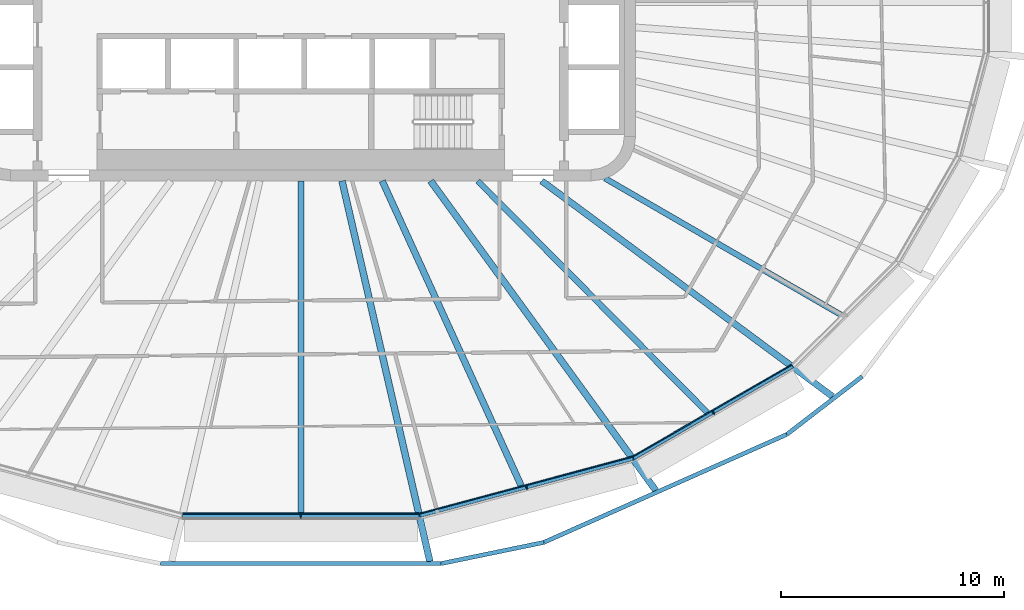
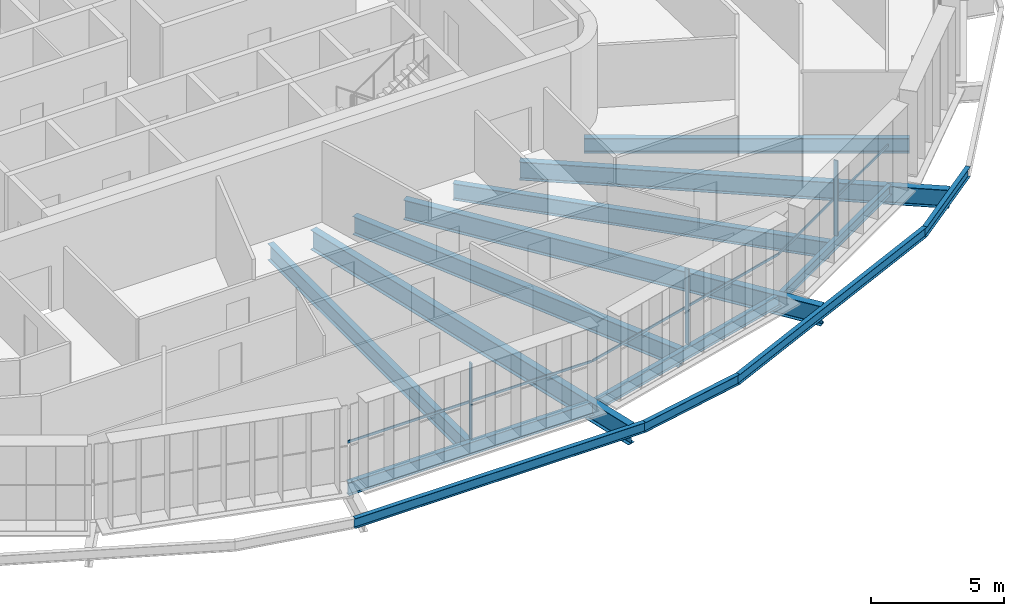
# One storey, part 3 of 21: 14 beams, 6 members, 3 elements without a shape of their own.
"""IFC4 building model written with IfcOpenShell, lengths in metres."""

from ifc_helpers import new_model, si_unit, direction, frame, origin, origin_2d, place, context, subcontext, project, spatial, rectangle, i_section, extrude, material, layer, layer_set, material_profile, profile_set, type_object, element, aggregate, save


model = new_model("IFC4")

# Units and contexts
model_context = context("Model", 3, precision=1e-05, world=origin(), true_north=direction((0.0, 1.0)))
body_context = subcontext(model_context, "Body", "Model", "MODEL_VIEW")
ifc_project = project(units=[si_unit("LENGTHUNIT", "METRE"), si_unit("AREAUNIT", "SQUARE_METRE"), si_unit("VOLUMEUNIT", "CUBIC_METRE"), si_unit("PLANEANGLEUNIT", "RADIAN"), si_unit("MASSUNIT", "GRAM", prefix="KILO")], contexts=[model_context])

# Site, building, storey
site_placement = place(None, origin())
site = spatial("IfcSite", under=ifc_project, at=site_placement, CompositionType="ELEMENT")
building_placement = place(site_placement, origin())
building = spatial("IfcBuilding", under=site, at=building_placement, Name="Sahrelin Media Tower", CompositionType="ELEMENT")
storey_placement = place(building_placement, frame((0.0, 0.0, 193.60009765625)))
storey = spatial("IfcBuildingStorey", under=building, at=storey_placement, Name="L41", CompositionType="ELEMENT", Elevation=193.60009765625)

# Beams
ifc_material_1 = material(Name="Steel S355", Category="steel")
ifc_material_profile_1 = material_profile(ifc_material_1, i_section(OverallWidth=0.1904296875, OverallDepth=0.45703125, WebThickness=0.009033203125, FlangeThickness=0.014404296875, FilletRadius=0.01025390625, at=origin_2d()), Name="UB 457x191x74")
ifc_profile_set_1 = profile_set([ifc_material_profile_1], Name="Steel S355")
beam_type_1 = type_object("IfcBeamType", Name="Edge beam EB5", PredefinedType="BEAM", material=ifc_profile_set_1)
beam_1_placement = place(storey_placement, frame((22.029296875, -16.292236328125, -0.378662109375), z_axis=(-0.8660092336, -0.500028006535, 0.0), x_axis=(0.500028006535, -0.8660092336, 0.0)))
element("IfcBeam", 1, at=beam_1_placement, inside=storey, type_object=beam_type_1, Name="Edge beam L41-05", PredefinedType="BEAM", context=body_context, shape_type="SweptSolid", body=[
    extrude(i_section(OverallWidth=0.1904296875, OverallDepth=0.45703125, WebThickness=0.009033203125, FlangeThickness=0.014404296875, FilletRadius=0.01025390625, at=origin_2d()), origin(), (0.0, 0.0, 1.0), 8.23046875),
])
ifc_material_profile_2 = material_profile(ifc_material_1, i_section(OverallWidth=0.208740234375, OverallDepth=0.5283203125, WebThickness=0.009521484375, FlangeThickness=0.01318359375, FilletRadius=0.0126953125, at=origin_2d()), Name="UB 533x210x82")
ifc_profile_set_2 = profile_set([ifc_material_profile_2], Name="Steel S355")
beam_type_2 = type_object("IfcBeamType", Name="Edge beam EB6", PredefinedType="BEAM", material=ifc_profile_set_2)
beam_2_placement = place(storey_placement, frame((14.875, -20.418701171875, -0.414306640625), z_axis=(-0.965928634298, -0.258808565244, 0.0), x_axis=(0.258808565244, -0.965928634298, 0.0)))
element("IfcBeam", 2, at=beam_2_placement, inside=storey, type_object=beam_type_2, Name="Edge beam L41-06", PredefinedType="BEAM", context=body_context, shape_type="SweptSolid", body=[
    extrude(i_section(OverallWidth=0.208740234375, OverallDepth=0.5283203125, WebThickness=0.009521484375, FlangeThickness=0.01318359375, FilletRadius=0.0126953125, at=origin_2d()), origin(), (0.0, 0.0, 1.0), 9.87744140625),
])
ifc_material_profile_3 = material_profile(ifc_material_1, i_section(OverallWidth=0.2275390625, OverallDepth=0.6025390625, WebThickness=0.010498046875, FlangeThickness=0.014892578125, FilletRadius=0.0126953125, at=origin_2d()), Name="UB 610x229x101")
ifc_profile_set_3 = profile_set([ifc_material_profile_3], Name="Steel S355")
beam_type_3 = type_object("IfcBeamType", Name="Edge beam EB7", PredefinedType="BEAM", material=ifc_profile_set_3)
beam_3_placement = place(storey_placement, frame((5.305419921875, -22.97900390625, -0.451416015625), z_axis=(-1.0, 0.0, 0.0), x_axis=(0.0, -1.0, 0.0)))
element("IfcBeam", 3, at=beam_3_placement, inside=storey, type_object=beam_type_3, Name="Edge beam L41-07", PredefinedType="BEAM", context=body_context, shape_type="SweptSolid", body=[
    extrude(i_section(OverallWidth=0.2275390625, OverallDepth=0.6025390625, WebThickness=0.010498046875, FlangeThickness=0.014892578125, FilletRadius=0.0126953125, at=origin_2d()), origin(), (0.0, 0.0, 1.0), 10.61083984375),
])

# Curtain wall, member
ifc_material_2 = material(Name="Champagne anodised aluminium 6063-T6", Category="aluminium")
ifc_layer = layer(ifc_material_2, 0.14990234375)
ifc_layer_set = layer_set([ifc_layer], Name="Tower ribbon curtain wall")
curtain_wall_type = type_object("IfcCurtainWallType", Name="Tower ribbon curtain wall", PredefinedType="NOTDEFINED", material=ifc_layer_set)
curtain_wall_1_placement = place(storey_placement, frame((0.0, -23.12890625, 0.0), z_axis=(0.0, 0.0, 1.0), x_axis=(1.0, 0.0, 0.0)))
curtain_wall_1 = element("IfcCurtainWall", 4, at=curtain_wall_1_placement, inside=storey, type_object=curtain_wall_type, Name="L41:CW:L41-18", PredefinedType="NOTDEFINED")
ifc_material_profile_4 = material_profile(ifc_material_2, rectangle(XDim=0.06005859375, YDim=0.175048828125, at=origin_2d()), Name="Mullion 60x175")
ifc_profile_set_4 = profile_set([ifc_material_profile_4], Name="Champagne anodised aluminium 6063-T6")
member_type_1 = type_object("IfcMemberType", Name="Mullion 60x175 CW1B", PredefinedType="MULLION", material=ifc_profile_set_4)
member_1_placement = place(storey_placement, frame((0.0, -23.021484375, 0.0), z_axis=(0.0, 0.0, 1.0), x_axis=(1.0, 0.0, 0.0)))
member_1 = element("IfcMember", 5, at=member_1_placement, type_object=member_type_1, Name="L41:CWM:L41-18", PredefinedType="MULLION", context=body_context, shape_type="SweptSolid", body=[
    extrude(rectangle(XDim=0.06005859375, YDim=0.175048828125, at=origin_2d()), origin(), (0.0, 0.0, 1.0), 3.448486328125),
])

curtain_wall_2_placement = place(storey_placement, frame((10.143310546875, -21.841796875, 0.0), z_axis=(0.0, 0.0, 1.0), x_axis=(1.0, 0.0, 0.0)))
curtain_wall_2 = element("IfcCurtainWall", 6, at=curtain_wall_2_placement, inside=storey, type_object=curtain_wall_type, Name="L41:CW:L41-19", PredefinedType="NOTDEFINED")
member_2_placement = place(storey_placement, frame((10.115478515625, -21.73779296875, 0.0), z_axis=(0.0, 0.0, 1.0), x_axis=(0.965924922834, 0.258822416818, 0.0)))
member_2 = element("IfcMember", 7, at=member_2_placement, type_object=member_type_1, Name="L41:CWM:L41-19", PredefinedType="MULLION", context=body_context, shape_type="SweptSolid", body=[
    extrude(rectangle(XDim=0.06005859375, YDim=0.175048828125, at=origin_2d()), origin(), (0.0, 0.0, 1.0), 3.448486328125),
])

curtain_wall_3_placement = place(storey_placement, frame((18.540283203125, -18.479736328125, 0.0), z_axis=(0.0, 0.0, 1.0), x_axis=(1.0, 0.0, 0.0)))
curtain_wall_3 = element("IfcCurtainWall", 8, at=curtain_wall_3_placement, inside=storey, type_object=curtain_wall_type, Name="L41:CW:L41-20", PredefinedType="NOTDEFINED")
member_3_placement = place(storey_placement, frame((18.48681640625, -18.38671875, 0.0), z_axis=(0.0, 0.0, 1.0), x_axis=(0.86602365845, 0.500003022996, 0.0)))
member_3 = element("IfcMember", 9, at=member_3_placement, type_object=member_type_1, Name="L41:CWM:L41-20", PredefinedType="MULLION", context=body_context, shape_type="SweptSolid", body=[
    extrude(rectangle(XDim=0.06005859375, YDim=0.175048828125, at=origin_2d()), origin(), (0.0, 0.0, 1.0), 3.448486328125),
])

# Beams
ifc_material_profile_5 = material_profile(ifc_material_1, i_section(OverallWidth=0.291748046875, OverallDepth=0.8349609375, WebThickness=0.013916015625, FlangeThickness=0.018798828125, FilletRadius=0.017822265625, at=origin_2d()), Name="UB 838x292x176")
ifc_profile_set_5 = profile_set([ifc_material_profile_5], Name="Steel S355")
beam_type_4 = type_object("IfcBeamType", Name="Radial primary beam PB10", PredefinedType="BEAM", material=ifc_profile_set_5)
beam_4_placement = place(storey_placement, frame((10.793701171875, -8.0, -0.567626953125), z_axis=(0.803387610254, -0.595456419641, 0.0), x_axis=(0.595456419641, 0.803387610254, 0.0)))
element("IfcBeam", 10, at=beam_4_placement, inside=storey, type_object=beam_type_4, Name="Radial beam L41-21", PredefinedType="BEAM", context=body_context, shape_type="SweptSolid", body=[
    extrude(i_section(OverallWidth=0.291748046875, OverallDepth=0.8349609375, WebThickness=0.013916015625, FlangeThickness=0.018798828125, FilletRadius=0.017822265625, at=origin_2d()), origin(), (0.0, 0.0, 1.0), 16.22314453125),
])
ifc_material_profile_6 = material_profile(ifc_material_1, i_section(OverallWidth=0.30322265625, OverallDepth=0.903076171875, WebThickness=0.01513671875, FlangeThickness=0.020263671875, FilletRadius=0.01904296875, at=origin_2d()), Name="UB 914x305x201")
ifc_profile_set_6 = profile_set([ifc_material_profile_6], Name="Steel S355")
beam_type_5 = type_object("IfcBeamType", Name="Radial primary beam PB11", PredefinedType="BEAM", material=ifc_profile_set_6)
beam_5_placement = place(storey_placement, frame((1.846923828125, -8.0, -0.6015625), z_axis=(0.224943059237, -0.974371910567, 0.0), x_axis=(0.974371910567, 0.224943059237, 0.0)))
element("IfcBeam", 11, at=beam_5_placement, inside=storey, type_object=beam_type_5, Name="Radial beam L41-19", PredefinedType="BEAM", context=body_context, shape_type="SweptSolid", body=[
    extrude(i_section(OverallWidth=0.30322265625, OverallDepth=0.903076171875, WebThickness=0.01513671875, FlangeThickness=0.020263671875, FilletRadius=0.01904296875, at=origin_2d()), origin(), (0.0, 0.0, 1.0), 17.4990234375),
])
beam_6_placement = place(storey_placement, frame((5.8173828125, -8.0, -0.6015625), z_axis=(0.58812766709, -0.808768104714, 0.0), x_axis=(0.808768104714, 0.58812766709, 0.0)))
element("IfcBeam", 12, at=beam_6_placement, inside=storey, type_object=beam_type_5, Name="Radial beam L41-20", PredefinedType="BEAM", context=body_context, shape_type="SweptSolid", body=[
    extrude(i_section(OverallWidth=0.30322265625, OverallDepth=0.903076171875, WebThickness=0.01513671875, FlangeThickness=0.020263671875, FilletRadius=0.01904296875, at=origin_2d()), origin(), (0.0, 0.0, 1.0), 17.144287109375),
])
ifc_material_profile_7 = material_profile(ifc_material_1, i_section(OverallWidth=0.291748046875, OverallDepth=0.8349609375, WebThickness=0.013916015625, FlangeThickness=0.018798828125, FilletRadius=0.017822265625, at=origin_2d()), Name="UB 838x292x176")
ifc_profile_set_7 = profile_set([ifc_material_profile_7], Name="Steel S355")
beam_type_6 = type_object("IfcBeamType", Name="Radial secondary beam SB10", PredefinedType="BEAM", material=ifc_profile_set_7)
beam_7_placement = place(storey_placement, frame((3.647705078125, -8.0, -0.567626953125), z_axis=(0.414888908569, -0.909872075374, 0.0), x_axis=(0.909872075374, 0.414888908569, 0.0)))
element("IfcBeam", 13, at=beam_7_placement, inside=storey, type_object=beam_type_6, Name="Secondary beam L41-19", PredefinedType="BEAM", context=body_context, shape_type="SweptSolid", body=[
    extrude(i_section(OverallWidth=0.291748046875, OverallDepth=0.8349609375, WebThickness=0.013916015625, FlangeThickness=0.018798828125, FilletRadius=0.017822265625, at=origin_2d()), origin(), (0.0, 0.0, 1.0), 15.003173828125),
])
ifc_material_profile_8 = material_profile(ifc_material_1, i_section(OverallWidth=0.2529296875, OverallDepth=0.677978515625, WebThickness=0.01171875, FlangeThickness=0.01611328125, FilletRadius=0.01513671875, at=origin_2d()), Name="UB 686x254x125")
ifc_profile_set_8 = profile_set([ifc_material_profile_8], Name="Steel S355")
beam_type_7 = type_object("IfcBeamType", Name="Radial secondary beam SB8", PredefinedType="BEAM", material=ifc_profile_set_8)
beam_8_placement = place(storey_placement, frame((13.63134765625, -7.884765625, -0.489013671875), z_axis=(0.865627368976, -0.500688783658, 0.0), x_axis=(0.500688783658, 0.865627368976, 0.0)))
element("IfcBeam", 14, at=beam_8_placement, inside=storey, type_object=beam_type_7, Name="Secondary beam L41-21", PredefinedType="BEAM", context=body_context, shape_type="SweptSolid", body=[
    extrude(i_section(OverallWidth=0.2529296875, OverallDepth=0.677978515625, WebThickness=0.01171875, FlangeThickness=0.01611328125, FilletRadius=0.01513671875, at=origin_2d()), origin(), (0.0, 0.0, 1.0), 12.215087890625),
])
ifc_material_profile_9 = material_profile(ifc_material_1, i_section(OverallWidth=0.26513671875, OverallDepth=0.75390625, WebThickness=0.0126953125, FlangeThickness=0.017578125, FilletRadius=0.0166015625, at=origin_2d()), Name="UB 762x267x147")
ifc_profile_set_9 = profile_set([ifc_material_profile_9], Name="Steel S355")
beam_type_8 = type_object("IfcBeamType", Name="Radial secondary beam SB9", PredefinedType="BEAM", material=ifc_profile_set_9)
beam_9_placement = place(storey_placement, frame((0.0, -8.0, -0.527099609375), z_axis=(0.0, -1.0, 0.0), x_axis=(1.0, 0.0, 0.0)))
element("IfcBeam", 15, at=beam_9_placement, inside=storey, type_object=beam_type_8, Name="Secondary beam L41-18", PredefinedType="BEAM", context=body_context, shape_type="SweptSolid", body=[
    extrude(i_section(OverallWidth=0.26513671875, OverallDepth=0.75390625, WebThickness=0.0126953125, FlangeThickness=0.017578125, FilletRadius=0.0166015625, at=origin_2d()), origin(), (0.0, 0.0, 1.0), 14.864990234375),
])
beam_10_placement = place(storey_placement, frame((7.927490234375, -8.0, -0.527099609375), z_axis=(0.70389286124, -0.710306159269, 0.0), x_axis=(0.710306159269, 0.70389286124, 0.0)))
element("IfcBeam", 16, at=beam_10_placement, inside=storey, type_object=beam_type_8, Name="Secondary beam L41-20", PredefinedType="BEAM", context=body_context, shape_type="SweptSolid", body=[
    extrude(i_section(OverallWidth=0.26513671875, OverallDepth=0.75390625, WebThickness=0.0126953125, FlangeThickness=0.017578125, FilletRadius=0.0166015625, at=origin_2d()), origin(), (0.0, 0.0, 1.0), 14.6181640625),
])
ifc_material_profile_10 = material_profile(ifc_material_1, i_section(OverallWidth=0.1904296875, OverallDepth=0.45703125, WebThickness=0.009033203125, FlangeThickness=0.014404296875, FilletRadius=0.01025390625, at=origin_2d()), Name="UB 457x191x74")
ifc_profile_set_10 = profile_set([ifc_material_profile_10], Name="Steel S355")
beam_type_9 = type_object("IfcBeamType", Name="Tie chord TC5", PredefinedType="BEAM", material=ifc_profile_set_10)
beam_11_placement = place(storey_placement, frame((-6.283935546875, -25.145751953125, -0.378662109375), z_axis=(1.0, 0.0, 0.0), x_axis=(0.0, 1.0, 0.0)))
element("IfcBeam", 17, at=beam_11_placement, inside=storey, type_object=beam_type_9, Name="Tie chord L41-18", PredefinedType="BEAM", context=body_context, shape_type="SweptSolid", body=[
    extrude(i_section(OverallWidth=0.1904296875, OverallDepth=0.45703125, WebThickness=0.009033203125, FlangeThickness=0.014404296875, FilletRadius=0.01025390625, at=origin_2d()), origin(), (0.0, 0.0, 1.0), 12.56787109375),
])
beam_12_placement = place(storey_placement, frame((6.283935546875, -25.145751953125, -0.378662109375), z_axis=(0.979389778149, 0.201979361463, 0.0), x_axis=(-0.201979361463, 0.979389778149, 0.0)))
element("IfcBeam", 18, at=beam_12_placement, inside=storey, type_object=beam_type_9, Name="Tie chord L41-19", PredefinedType="BEAM", context=body_context, shape_type="SweptSolid", body=[
    extrude(i_section(OverallWidth=0.1904296875, OverallDepth=0.45703125, WebThickness=0.009033203125, FlangeThickness=0.014404296875, FilletRadius=0.01025390625, at=origin_2d()), origin(), (0.0, 0.0, 1.0), 4.70556640625),
])
beam_13_placement = place(storey_placement, frame((10.892578125, -24.1953125, -0.378662109375), z_axis=(0.913828453148, 0.406100428733, 0.0), x_axis=(-0.406100428733, 0.913828453148, 0.0)))
element("IfcBeam", 19, at=beam_13_placement, inside=storey, type_object=beam_type_9, Name="Tie chord L41-20", PredefinedType="BEAM", context=body_context, shape_type="SweptSolid", body=[
    extrude(i_section(OverallWidth=0.1904296875, OverallDepth=0.45703125, WebThickness=0.009033203125, FlangeThickness=0.014404296875, FilletRadius=0.01025390625, at=origin_2d()), origin(), (0.0, 0.0, 1.0), 11.91064453125),
])
beam_14_placement = place(storey_placement, frame((21.77685546875, -19.3583984375, -0.378662109375), z_axis=(0.792457678951, 0.609926903056, 0.0), x_axis=(-0.609926903056, 0.792457678951, 0.0)))
element("IfcBeam", 20, at=beam_14_placement, inside=storey, type_object=beam_type_9, Name="Tie chord L41-21", PredefinedType="BEAM", context=body_context, shape_type="SweptSolid", body=[
    extrude(i_section(OverallWidth=0.1904296875, OverallDepth=0.45703125, WebThickness=0.009033203125, FlangeThickness=0.014404296875, FilletRadius=0.01025390625, at=origin_2d()), origin(), (0.0, 0.0, 1.0), 4.25732421875),
])

# Member
ifc_material_profile_11 = material_profile(ifc_material_2, rectangle(XDim=0.050048828125, YDim=0.110107421875, at=origin_2d()), Name="Transom 50x110")
ifc_profile_set_11 = profile_set([ifc_material_profile_11], Name="Champagne anodised aluminium 6063-T6")
member_type_2 = type_object("IfcMemberType", Name="Transom 50x110 CW1B", PredefinedType="USERDEFINED", material=ifc_profile_set_11)
member_4_placement = place(storey_placement, frame((-5.28955078125, -22.908935546875, 1.599853515625), z_axis=(1.0, 0.0, 0.0), x_axis=(0.0, 1.0, 0.0)))
member_4 = element("IfcMember", 21, at=member_4_placement, type_object=member_type_2, Name="L41:CWT:L41-18", ObjectType="TRANSOM", PredefinedType="USERDEFINED", context=body_context, shape_type="SweptSolid", body=[
    extrude(rectangle(XDim=0.050048828125, YDim=0.110107421875, at=origin_2d()), origin(), (0.0, 0.0, 1.0), 10.5791015625),
])

aggregate(curtain_wall_1, [member_1, member_4])

member_5_placement = place(storey_placement, frame((5.3310546875, -22.903564453125, 1.599853515625), z_axis=(0.965921045244, 0.258836887547, 0.0), x_axis=(-0.258836887547, 0.965921045244, 0.0)))
member_5 = element("IfcMember", 22, at=member_5_placement, type_object=member_type_2, Name="L41:CWT:L41-19", ObjectType="TRANSOM", PredefinedType="USERDEFINED", context=body_context, shape_type="SweptSolid", body=[
    extrude(rectangle(XDim=0.050048828125, YDim=0.110107421875, at=origin_2d()), origin(), (0.0, 0.0, 1.0), 9.84619140625),
])

aggregate(curtain_wall_2, [member_2, member_5])

member_6_placement = place(storey_placement, frame((14.880126953125, -20.339111328125, 1.599853515625), z_axis=(0.866020958405, 0.500007699544, 0.0), x_axis=(-0.500007699544, 0.866020958405, 0.0)))
member_6 = element("IfcMember", 23, at=member_6_placement, type_object=member_type_2, Name="L41:CWT:L41-20", ObjectType="TRANSOM", PredefinedType="USERDEFINED", context=body_context, shape_type="SweptSolid", body=[
    extrude(rectangle(XDim=0.050048828125, YDim=0.110107421875, at=origin_2d()), origin(), (0.0, 0.0, 1.0), 8.198974609375),
])

aggregate(curtain_wall_3, [member_3, member_6])

save(model, "model.ifc")
